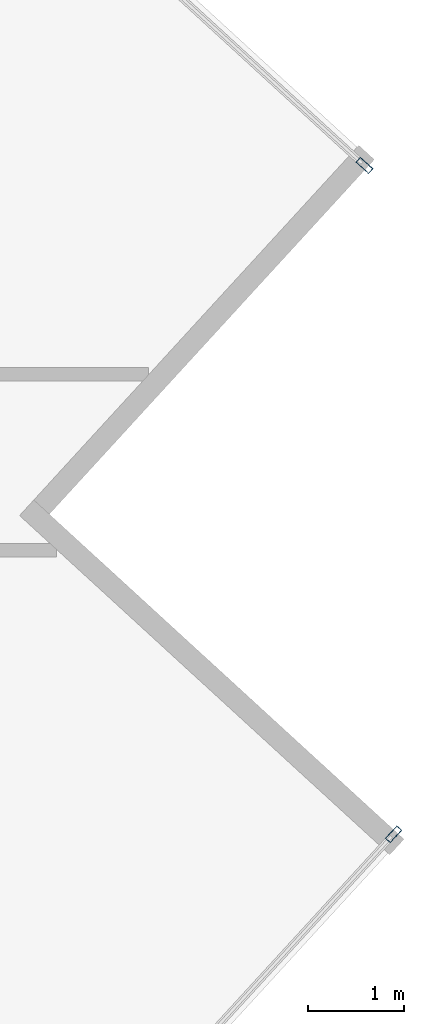
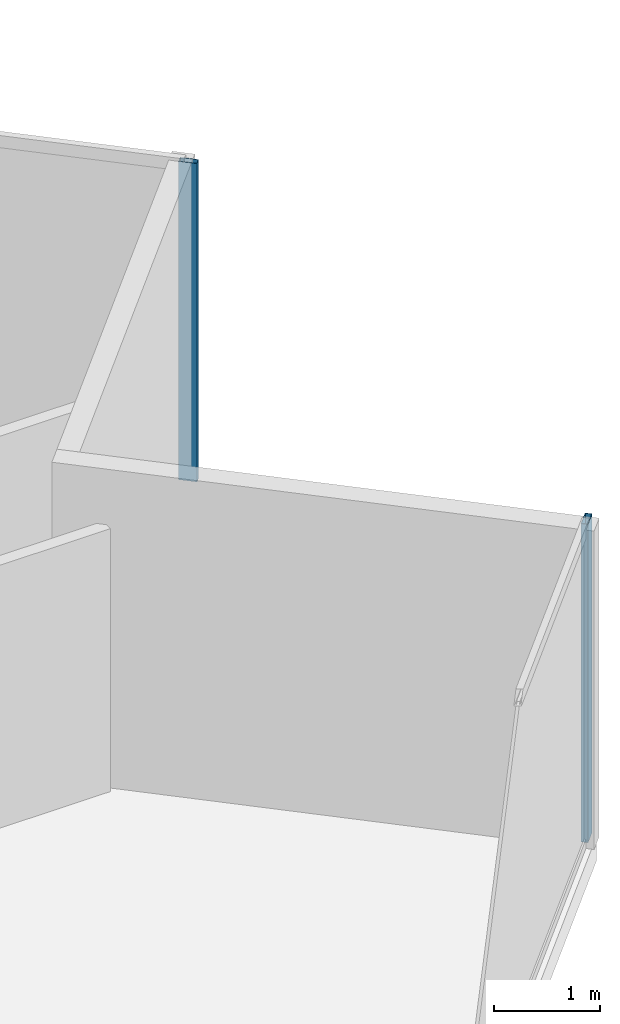
# One storey, part 13 of 26: 2 members, 2 elements without a shape of their own.
"""IFC4 building model written with IfcOpenShell, lengths in metres."""

from ifc_helpers import new_model, si_unit, direction, frame, origin, origin_2d, place, context, subcontext, project, spatial, hollow_rectangle, extrude, source, transform, mapped, material, material_profile, profile_set, type_object, type_shapes, element, aggregate, save


model = new_model("IFC4")

# Units and contexts
model_context = context("Model", 3, precision=1e-05, world=origin(), true_north=direction((0.0, 1.0)))
body_context = subcontext(model_context, "Body", "Model", "MODEL_VIEW")
ifc_project = project(units=[si_unit("LENGTHUNIT", "METRE"), si_unit("AREAUNIT", "SQUARE_METRE"), si_unit("VOLUMEUNIT", "CUBIC_METRE"), si_unit("PLANEANGLEUNIT", "RADIAN"), si_unit("MASSUNIT", "GRAM", prefix="KILO")], contexts=[model_context])

# Site, building, storey
site_placement = place(None, origin())
site = spatial("IfcSite", under=ifc_project, at=site_placement, CompositionType="ELEMENT")
building_placement = place(site_placement, origin())
building = spatial("IfcBuilding", under=site, at=building_placement, Name="Krantzveldt Concourse Tower", CompositionType="ELEMENT")
storey_placement = place(building_placement, frame((0.0, 0.0, 223.10009765625)))
storey = spatial("IfcBuildingStorey", under=building, at=storey_placement, Name="L54", CompositionType="ELEMENT", Elevation=223.10009765625)

# Curtain wall, member
ifc_material = material(Name="Anodised aluminium 6063-T6", Category="aluminium")
curtain_wall_type = type_object("IfcCurtainWallType", Name="CW3", PredefinedType="USERDEFINED", material=ifc_material)
curtain_wall_1_placement = place(storey_placement, origin())
curtain_wall_1 = element("IfcCurtainWall", 1, at=curtain_wall_1_placement, inside=storey, type_object=curtain_wall_type, Name="CW-L54-F11", ObjectType="UNITISED CURTAIN WALL", PredefinedType="USERDEFINED")
ifc_material_profile = material_profile(ifc_material, hollow_rectangle(XDim=0.070068359375, YDim=0.179931640625, WallThickness=0.0048828125, at=origin_2d()), Name="Anodised aluminium 6063-T6", Category="aluminium")
ifc_profile_set = profile_set([ifc_material_profile], Name="Anodised aluminium 6063-T6 - ALU-MULL 180x70x5")
member_type = type_object("IfcMemberType", Name="CW-MUL-180", PredefinedType="MULLION", material=ifc_profile_set)
shared_shape = source(origin(), body_context, "Body", "SweptSolid", [
    extrude(hollow_rectangle(XDim=0.070068359375, YDim=0.179931640625, WallThickness=0.0048828125, at=origin_2d()), origin(), (0.0, 0.0, 1.0), 3.669921875),
])
type_shapes(member_type, [shared_shape])
member_1_placement = place(storey_placement, frame((61.495849609375, 24.313232421875, 0.0), z_axis=(0.0, 0.0, 1.0), x_axis=(-0.737277769208, 0.675589735736, 0.0)))
member_1 = element("IfcMember", 2, at=member_1_placement, type_object=member_type, Name="CW-Z34 mullion 3", PredefinedType="MULLION", context=body_context, shape_type="MappedRepresentation", body=[
    mapped(shared_shape, transform((0.0, 0.0, 0.0), x_axis=(1.0, 0.0, 0.0), y_axis=(0.0, 1.0, 0.0), z_axis=(0.0, 0.0, 1.0), scale=1.0)),
])
aggregate(curtain_wall_1, [member_1])

curtain_wall_2_placement = place(storey_placement, origin())
curtain_wall_2 = element("IfcCurtainWall", 3, at=curtain_wall_2_placement, inside=storey, type_object=curtain_wall_type, Name="CW-L54-F14", ObjectType="UNITISED CURTAIN WALL", PredefinedType="USERDEFINED")
member_2_placement = place(storey_placement, frame((61.190673828125, 31.2998046875, 0.0), z_axis=(0.0, 0.0, 1.0), x_axis=(-0.675590053651, -0.737277477893, 0.0)))
member_2 = element("IfcMember", 4, at=member_2_placement, type_object=member_type, Name="CW-Z34 mullion 1", PredefinedType="MULLION", context=body_context, shape_type="MappedRepresentation", body=[
    mapped(shared_shape, transform((0.0, 0.0, 0.0), x_axis=(1.0, 0.0, 0.0), y_axis=(0.0, 1.0, 0.0), z_axis=(0.0, 0.0, 1.0), scale=1.0)),
])
aggregate(curtain_wall_2, [member_2])

save(model, "model.ifc")
